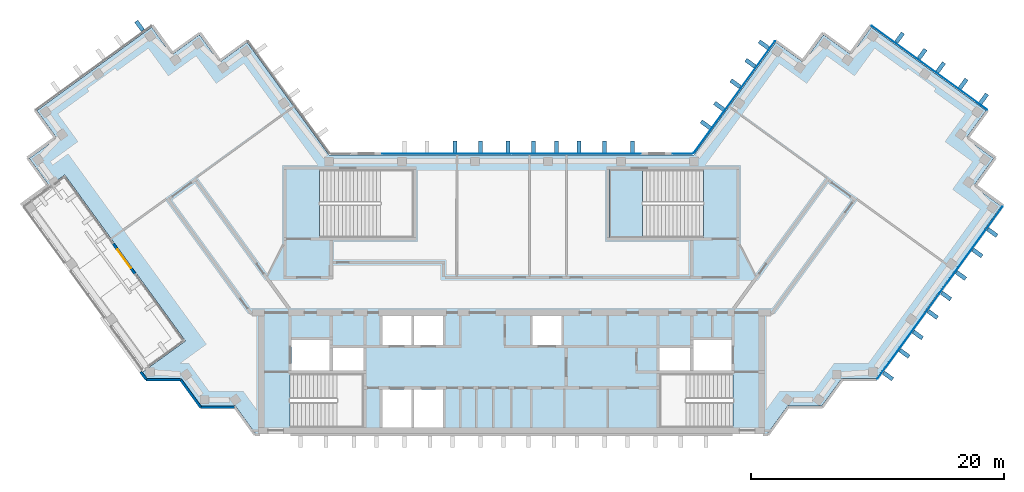
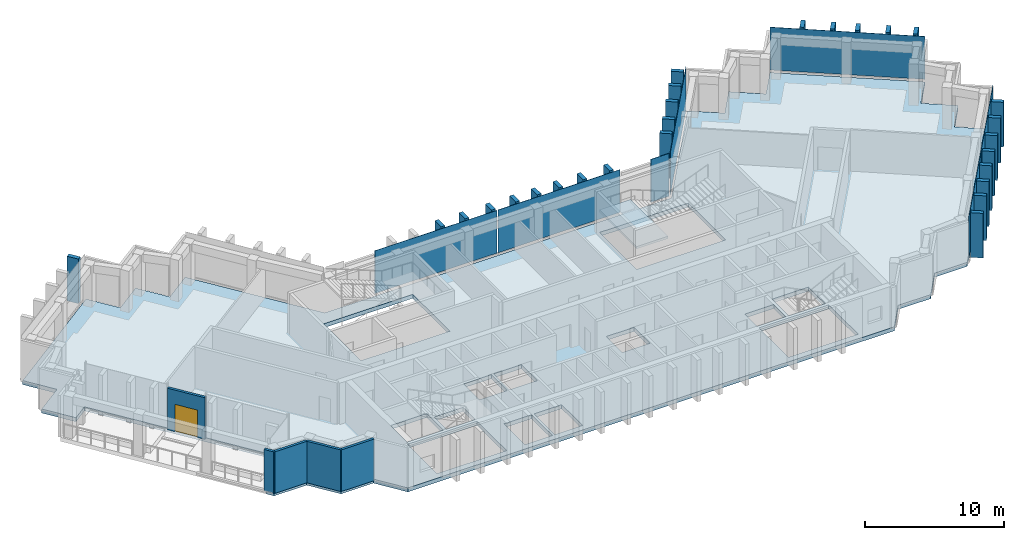
"""IFC4 building model written with IfcOpenShell, lengths in metres."""

from ifc_helpers import new_model, si_unit, direction, frame, frame_2d, origin, origin_2d, place, context, subcontext, project, spatial, polyline, rectangle, outline, extrude, material, layer, layer_set, type_object, element, fill, aggregate, save


model = new_model("IFC4")

# Units and contexts
model_context = context("Model", 3, precision=1e-05, world=origin(), true_north=direction((0.0, 1.0)))
body_context = subcontext(model_context, "Body", "Model", "MODEL_VIEW")
ifc_project = project(units=[si_unit("LENGTHUNIT", "METRE"), si_unit("AREAUNIT", "SQUARE_METRE"), si_unit("VOLUMEUNIT", "CUBIC_METRE"), si_unit("PLANEANGLEUNIT", "RADIAN"), si_unit("MASSUNIT", "GRAM", prefix="KILO")], contexts=[model_context])

# Site, building, storey
site_placement = place(None, origin())
site = spatial("IfcSite", under=ifc_project, at=site_placement, CompositionType="ELEMENT")
building_placement = place(site_placement, origin())
building = spatial("IfcBuilding", under=site, at=building_placement, Name="Quipu Civic Tower", CompositionType="ELEMENT")
storey_1_placement = place(building_placement, frame((0.0, 0.0, 261.0)))
storey_1 = spatial("IfcBuildingStorey", under=building, at=storey_1_placement, Name="L61", CompositionType="ELEMENT", Elevation=261.0)

# Slab
ifc_material_1 = material(Name="Concrete C40/50", Category="concrete")
ifc_layer_1 = layer(ifc_material_1, 0.35009765625)
ifc_layer_set_1 = layer_set([ifc_layer_1], Name="Concrete C40/50")
slab_type_1 = type_object("IfcSlabType", Name="Floor slab 350 C40/50", PredefinedType="FLOOR", material=ifc_layer_set_1)
slab_1_placement = place(storey_1_placement, frame((0.0, 0.0, -0.35009765625)))
element("IfcSlab", 1, at=slab_1_placement, inside=storey_1, type_object=slab_type_1, Name="Floor slab L61", PredefinedType="FLOOR", context=body_context, shape_type="SweptSolid", body=[
    extrude(outline(polyline([(-35.875, 12.320068359375), (-37.4599609375, 14.5048828125), (-28.39990234375, 21.090087890625), (-26.81494140625, 18.905029296875), (-24.6298828125, 20.4951171875), (-23.0400390625, 18.31005859375), (-20.860107421875, 19.89501953125), (-14.39501953125, 11.0), (14.39501953125, 11.0), (20.860107421875, 19.89501953125), (23.0400390625, 18.31005859375), (24.6298828125, 20.4951171875), (26.81494140625, 18.905029296875), (28.39990234375, 21.090087890625), (37.4599609375, 14.5048828125), (35.875, 12.320068359375), (38.06005859375, 10.735107421875), (36.469970703125, 8.550048828125), (38.655029296875, 6.965087890625), (28.780029296875, -6.6298828125), (26.080078125, -6.6298828125), (24.489990234375, -8.81494140625), (21.7900390625, -8.81494140625), (20.205078125, -11.0), (-20.205078125, -11.0), (-21.7900390625, -8.81494140625), (-24.489990234375, -8.81494140625), (-26.080078125, -6.6298828125), (-28.780029296875, -6.6298828125), (-29.135009765625, -6.139892578125), (-25.735107421875, -3.675048828125), (-35.260009765625, 9.43505859375), (-36.469970703125, 8.550048828125), (-38.06005859375, 10.735107421875), (-35.875, 12.320068359375)]), holes=[polyline([(-10.199951171875, -10.5), (-7.89990234375, -10.5), (-7.89990234375, -7.5), (-10.199951171875, -7.5), (-10.199951171875, -10.5)]), polyline([(-7.699951171875, -7.5), (-7.699951171875, -10.5), (-5.39990234375, -10.5), (-5.39990234375, -7.5), (-7.699951171875, -7.5)]), polyline([(-11.705078125, -6.2548828125), (-17.4951171875, -6.2548828125), (-17.4951171875, -10.4951171875), (-11.705078125, -10.4951171875), (-11.705078125, -6.2548828125)]), polyline([(-14.10009765625, -6.0), (-11.699951171875, -6.0), (-11.699951171875, -4.25), (-14.10009765625, -4.25), (-14.10009765625, -6.0)]), polyline([(-17.35009765625, -3.60009765625), (-17.35009765625, -6.0), (-14.35009765625, -6.0), (-14.35009765625, -3.60009765625), (-17.35009765625, -3.60009765625)]), polyline([(-10.199951171875, -1.699951171875), (-10.199951171875, -4.0), (-7.89990234375, -4.0), (-7.89990234375, -1.699951171875), (-10.199951171875, -1.699951171875)]), polyline([(-15.14501953125, 9.844970703125), (-15.14501953125, 4.5048828125), (-7.7548828125, 4.5048828125), (-7.7548828125, 9.844970703125), (-15.14501953125, 9.844970703125)]), polyline([(11.705078125, -10.4951171875), (17.4951171875, -10.4951171875), (17.4951171875, -6.2548828125), (11.705078125, -6.2548828125), (11.705078125, -10.4951171875)]), polyline([(11.699951171875, -4.25), (11.699951171875, -6.0), (14.10009765625, -6.0), (14.10009765625, -4.25), (11.699951171875, -4.25)]), polyline([(14.35009765625, -3.60009765625), (14.35009765625, -6.0), (17.35009765625, -6.0), (17.35009765625, -3.60009765625), (14.35009765625, -3.60009765625)]), polyline([(-7.699951171875, -1.699951171875), (-7.699951171875, -4.0), (-5.39990234375, -4.0), (-5.39990234375, -1.699951171875), (-7.699951171875, -1.699951171875)]), polyline([(1.64990234375, -1.699951171875), (1.64990234375, -4.0), (3.949951171875, -4.0), (3.949951171875, -1.699951171875), (1.64990234375, -1.699951171875)]), polyline([(7.7548828125, 4.5048828125), (15.14501953125, 4.5048828125), (15.14501953125, 9.844970703125), (7.7548828125, 9.844970703125), (7.7548828125, 4.5048828125)])]), origin(), (0.0, 0.0, 1.0), 0.35009765625),
])

# Storey
storey_2_placement = place(building_placement, frame((0.0, 0.0, 257.0)))
storey_2 = spatial("IfcBuildingStorey", under=building, at=storey_2_placement, Name="L60", CompositionType="ELEMENT", Elevation=257.0)

# Curtain wall, plates
ifc_material_2 = material(Name="Insulated glass unit", Category="glass")
curtain_wall_type = type_object("IfcCurtainWallType", Name="Office curtain wall CW1", PredefinedType="NOTDEFINED", material=ifc_material_2)
curtain_wall_1_placement = place(storey_2_placement, origin())
curtain_wall_1 = element("IfcCurtainWall", 2, at=curtain_wall_1_placement, inside=storey_2, type_object=curtain_wall_type, Name="Office curtain wall CW1 L59 run 13", PredefinedType="NOTDEFINED")
ifc_material_3 = material(Name="Insulated glass unit", Category="glass")
ifc_layer_2 = layer(ifc_material_3, 0.028076171875)
ifc_layer_set_2 = layer_set([ifc_layer_2], Name="Insulated glass unit")
plate_type_1 = type_object("IfcPlateType", Name="Glass panel CW1", PredefinedType="CURTAIN_PANEL", material=ifc_layer_set_2)
plate_1_placement = place(storey_1_placement, frame((31.333251953125, -3.285888671875, 0.16015625), z_axis=(0.0, 0.0, 1.0), x_axis=(0.587786237643, 0.809016278475, 0.0)))
plate_1 = element("IfcPlate", 3, at=plate_1_placement, inside=storey_1, type_object=plate_type_1, Name="CW1 panel 1.3", PredefinedType="CURTAIN_PANEL", context=body_context, shape_type="SweptSolid", body=[
    extrude(rectangle(XDim=8.35791015625, YDim=0.028076171875, at=origin_2d()), origin(), (0.0, 0.0, 1.0), 3.760009765625),
])
plate_2_placement = place(storey_1_placement, frame((36.292724609375, 3.54052734375, 0.16015625), z_axis=(0.0, 0.0, 1.0), x_axis=(0.587786237643, 0.809016278475, 0.0)))
plate_2 = element("IfcPlate", 4, at=plate_2_placement, inside=storey_1, type_object=plate_type_1, Name="CW1 panel 2.3", PredefinedType="CURTAIN_PANEL", context=body_context, shape_type="SweptSolid", body=[
    extrude(rectangle(XDim=8.35791015625, YDim=0.028076171875, at=origin_2d()), origin(), (0.0, 0.0, 1.0), 3.760009765625),
])
aggregate(curtain_wall_1, [plate_1, plate_2])

# Curtain wall, plate
curtain_wall_2_placement = place(storey_2_placement, origin())
curtain_wall_2 = element("IfcCurtainWall", 5, at=curtain_wall_2_placement, inside=storey_2, type_object=curtain_wall_type, Name="Office curtain wall CW1 L59 run 18", PredefinedType="NOTDEFINED")
plate_3_placement = place(storey_1_placement, frame((32.989990234375, 17.87939453125, 0.16015625), z_axis=(0.0, 0.0, 1.0), x_axis=(-0.809015176832, 0.587787753918, 0.0)))
plate_3 = element("IfcPlate", 6, at=plate_3_placement, inside=storey_1, type_object=plate_type_1, Name="CW1 panel 1.3", PredefinedType="CURTAIN_PANEL", context=body_context, shape_type="SweptSolid", body=[
    extrude(rectangle(XDim=11.239990234375, YDim=0.028076171875, at=origin_2d()), origin(), (0.0, 0.0, 1.0), 3.760009765625),
])
aggregate(curtain_wall_2, [plate_3])

curtain_wall_3_placement = place(storey_2_placement, origin())
curtain_wall_3 = element("IfcCurtainWall", 7, at=curtain_wall_3_placement, inside=storey_2, type_object=curtain_wall_type, Name="Office curtain wall CW1 L59 run 23", PredefinedType="NOTDEFINED")
plate_4_placement = place(storey_1_placement, frame((17.590087890625, 15.5673828125, 0.16015625), z_axis=(0.0, 0.0, 1.0), x_axis=(-0.587787771652, -0.809015163947, 0.0)))
plate_4 = element("IfcPlate", 8, at=plate_4_placement, inside=storey_1, type_object=plate_type_1, Name="CW1 panel 1.3", PredefinedType="CURTAIN_PANEL", context=body_context, shape_type="SweptSolid", body=[
    extrude(rectangle(XDim=10.88427734375, YDim=0.028076171875, at=origin_2d()), origin(), (0.0, 0.0, 1.0), 3.760009765625),
])
aggregate(curtain_wall_3, [plate_4])

curtain_wall_4_placement = place(storey_2_placement, origin())
curtain_wall_4 = element("IfcCurtainWall", 9, at=curtain_wall_4_placement, inside=storey_2, type_object=curtain_wall_type, Name="Office curtain wall CW1 L59 run 24", PredefinedType="NOTDEFINED")
plate_5_placement = place(storey_1_placement, frame((13.49951171875, 11.10009765625, 0.16015625), z_axis=(0.0, 0.0, 1.0), x_axis=(-1.0, 0.0, 0.0)))
plate_5 = element("IfcPlate", 10, at=plate_5_placement, inside=storey_1, type_object=plate_type_1, Name="CW1 panel 1.3", PredefinedType="CURTAIN_PANEL", context=body_context, shape_type="SweptSolid", body=[
    extrude(rectangle(XDim=1.529296875, YDim=0.028076171875, at=origin_2d()), origin(), (0.0, 0.0, 1.0), 3.760009765625),
])
aggregate(curtain_wall_4, [plate_5])

# Curtain wall, plates
curtain_wall_5_placement = place(storey_2_placement, origin())
curtain_wall_5 = element("IfcCurtainWall", 11, at=curtain_wall_5_placement, inside=storey_2, type_object=curtain_wall_type, Name="Office curtain wall CW1 L59 run 26", PredefinedType="NOTDEFINED")
plate_6_placement = place(storey_1_placement, frame((5.11181640625, 11.10009765625, 0.16015625), z_axis=(0.0, 0.0, 1.0), x_axis=(-1.0, 0.0, 0.0)))
plate_6 = element("IfcPlate", 12, at=plate_6_placement, inside=storey_1, type_object=plate_type_1, Name="CW1 panel 1.3", PredefinedType="CURTAIN_PANEL", context=body_context, shape_type="SweptSolid", body=[
    extrude(rectangle(XDim=10.1435546875, YDim=0.028076171875, at=origin_2d()), origin(), (0.0, 0.0, 1.0), 3.760009765625),
])
plate_7_placement = place(storey_1_placement, frame((-5.11181640625, 11.10009765625, 0.16015625), z_axis=(0.0, 0.0, 1.0), x_axis=(-1.0, 0.0, 0.0)))
plate_7 = element("IfcPlate", 13, at=plate_7_placement, inside=storey_1, type_object=plate_type_1, Name="CW1 panel 2.3", PredefinedType="CURTAIN_PANEL", context=body_context, shape_type="SweptSolid", body=[
    extrude(rectangle(XDim=10.1435546875, YDim=0.028076171875, at=origin_2d()), origin(), (0.0, 0.0, 1.0), 3.760009765625),
])
aggregate(curtain_wall_5, [plate_6, plate_7])

# Plates
ifc_material_4 = material(Name="Precast concrete C40/50", Category="concrete")
plate_type_2 = type_object("IfcPlateType", Name="Precast fin F3", PredefinedType="SHEET", material=ifc_material_4)
for number, where, z_axis, x_axis, name in (
    (14, (29.721923828125, -6.43896484375, 0.080078125), (0.0, 0.0, 1.0), (0.587786668783, 0.809015965233, 0.0), "Precast fin F3 L61.P10.1"),
    (15, (31.01513671875, -4.6591796875, 0.080078125), (0.0, 0.0, 1.0), (0.587786668783, 0.809015965233, 0.0), "Precast fin F3 L61.P10.2"),
    (16, (32.0732421875, -3.202880859375, 0.080078125), (0.0, 0.0, 1.0), (0.587786668783, 0.809015965233, 0.0), "Precast fin F3 L61.P10.3"),
    (17, (33.248779296875, -1.5849609375, 0.080078125), (0.0, 0.0, 1.0), (0.587786668783, 0.809015965233, 0.0), "Precast fin F3 L61.P10.4"),
    (18, (34.306640625, -0.128662109375, 0.080078125), (0.0, 0.0, 1.0), (0.587786668783, 0.809015965233, 0.0), "Precast fin F3 L61.P10.5"),
    (19, (35.482177734375, 1.489501953125, 0.080078125), (0.0, 0.0, 1.0), (0.587786668783, 0.809015965233, 0.0), "Precast fin F3 L61.P10.6"),
    (20, (36.775390625, 3.269287109375, 0.080078125), (0.0, 0.0, 1.0), (0.587786668783, 0.809015965233, 0.0), "Precast fin F3 L61.P10.7"),
    (21, (37.950927734375, 4.88720703125, 0.080078125), (0.0, 0.0, 1.0), (0.587786668783, 0.809015965233, 0.0), "Precast fin F3 L61.P10.8"),
    (22, (37.26953125, 15.449951171875, 0.080078125), (0.0, 0.0, 1.0), (-0.809017072762, 0.587785144401, 0.0), "Precast fin F3 L61.P15.1"),
    (23, (35.6513671875, 16.62548828125, 0.080078125), (0.0, 0.0, 1.0), (-0.809017072762, 0.587785144401, 0.0), "Precast fin F3 L61.P15.2"),
    (24, (33.87158203125, 17.918701171875, 0.080078125), (0.0, 0.0, 1.0), (-0.809017072762, 0.587785144401, 0.0), "Precast fin F3 L61.P15.3"),
    (25, (32.415283203125, 18.976806640625, 0.080078125), (0.0, 0.0, 1.0), (-0.809017072762, 0.587785144401, 0.0), "Precast fin F3 L61.P15.4"),
    (26, (30.635498046875, 20.269775390625, 0.080078125), (0.0, 0.0, 1.0), (-0.809017072762, 0.587785144401, 0.0), "Precast fin F3 L61.P15.5"),
    (27, (19.914794921875, 19.702880859375, 0.080078125), (0.0, 0.0, 1.0), (-0.58778443384, -0.809017589015, 0.0), "Precast fin F3 L61.P20.1"),
    (28, (18.856689453125, 18.246826171875, 0.080078125), (0.0, 0.0, 1.0), (-0.58778443384, -0.809017589015, 0.0), "Precast fin F3 L61.P20.2"),
    (29, (17.68115234375, 16.628662109375, 0.080078125), (0.0, 0.0, 1.0), (-0.58778443384, -0.809017589015, 0.0), "Precast fin F3 L61.P20.3"),
    (30, (16.38818359375, 14.848876953125, 0.080078125), (0.0, 0.0, 1.0), (-0.58778443384, -0.809017589015, 0.0), "Precast fin F3 L61.P20.4"),
    (31, (15.330078125, 13.392578125, 0.080078125), (0.0, 0.0, 1.0), (-0.58778443384, -0.809017589015, 0.0), "Precast fin F3 L61.P20.5"),
    (32, (9.5400390625, 11.64990234375, 0.080078125), (0.0, 0.0, 1.0), (-1.0, 0.0, 0.0), "Precast fin F3 L61.P23.1"),
    (33, (7.340087890625, 11.64990234375, 0.080078125), (0.0, 0.0, 1.0), (-1.0, 0.0, 0.0), "Precast fin F3 L61.P23.2"),
    (34, (5.340087890625, 11.64990234375, 0.080078125), (0.0, 0.0, 1.0), (-1.0, 0.0, 0.0), "Precast fin F3 L61.P23.3"),
    (35, (3.5400390625, 11.64990234375, 0.080078125), (0.0, 0.0, 1.0), (-1.0, 0.0, 0.0), "Precast fin F3 L61.P23.4"),
    (36, (1.739990234375, 11.64990234375, 0.080078125), (0.0, 0.0, 1.0), (-1.0, 0.0, 0.0), "Precast fin F3 L61.P23.5"),
    (37, (-0.260009765625, 11.64990234375, 0.080078125), (0.0, 0.0, 1.0), (-1.0, 0.0, 0.0), "Precast fin F3 L61.P23.6"),
    (38, (-2.4599609375, 11.64990234375, 0.080078125), (0.0, 0.0, 1.0), (-1.0, 0.0, 0.0), "Precast fin F3 L61.P23.7"),
    (39, (-4.4599609375, 11.64990234375, 0.080078125), (0.0, 0.0, 1.0), (-1.0, 0.0, 0.0), "Precast fin F3 L61.P23.8"),
    (40, (-29.357177734375, 21.198486328125, 0.080078125), (0.0, 0.0, 1.0), (-0.809017072762, -0.587785144401, 0.0), "Precast fin F3 L61.P31.1"),
):
    element("IfcPlate", number, at=place(storey_1_placement, frame(where, z_axis=z_axis, x_axis=x_axis)), inside=storey_1, type_object=plate_type_2, Name=name, PredefinedType="SHEET", context=body_context, shape_type="SweptSolid", body=[
        extrude(rectangle(XDim=0.320068359375, YDim=0.89990234375, at=origin_2d()), origin(), (0.0, 0.0, 1.0), 3.919921875),
    ])

# Stair, slab
ifc_material_5 = material(Name="Concrete C40/50", Category="concrete")
stair_type = type_object("IfcStairType", Name="Half turn stair 2600", PredefinedType="HALF_TURN_STAIR", material=ifc_material_5)
stair_placement = place(storey_1_placement, origin())
stair = element("IfcStair", 41, at=stair_placement, inside=storey_1, type_object=stair_type, Name="Exit stair 4", PredefinedType="HALF_TURN_STAIR")
ifc_material_6 = material(Name="Concrete C40/50", Category="concrete")
ifc_layer_3 = layer(ifc_material_6, 0.199951171875)
ifc_layer_set_3 = layer_set([ifc_layer_3], Name="Concrete C40/50")
slab_type_2 = type_object("IfcSlabType", Name="Stair landing 200", PredefinedType="LANDING", material=ifc_layer_set_3)
slab_2_placement = place(storey_1_placement, frame((0.0, 0.0, 1.800048828125)))
slab_2 = element("IfcSlab", 42, at=slab_2_placement, type_object=slab_type_2, Name="ST-4 landing 1", PredefinedType="LANDING", context=body_context, shape_type="SweptSolid", body=[
    extrude(outline(polyline([(10.35009765625, 9.85009765625), (7.75, 9.85009765625), (7.75, 4.5), (10.35009765625, 4.5), (10.35009765625, 9.85009765625)])), origin(), (0.0, 0.0, 1.0), 0.199951171875),
])
aggregate(stair, [slab_2])

# Walls
ifc_material_7 = material(Name="Precast concrete C40/50", Category="concrete")
wall_type_1 = type_object("IfcWallType", Name="Precast cladding wall", PredefinedType="SOLIDWALL", material=ifc_material_7)
wall_1_placement = place(storey_1_placement, frame((-28.829833984375, -6.71923828125, 0.0), z_axis=(0.0, 0.0, 1.0), x_axis=(1.0, 0.0, 0.0)))
element("IfcWall", 43, at=wall_1_placement, inside=storey_1, type_object=wall_type_1, Name="Precast cladding wall L61 P33", PredefinedType="SOLIDWALL", context=body_context, shape_type="SweptSolid", body=[
    extrude(rectangle(XDim=2.699951171875, YDim=0.199951171875, at=frame_2d((1.35009765625, 0.0))), origin(), (0.0, 0.0, 1.0), 3.64990234375),
])
wall_2_placement = place(storey_1_placement, frame((-26.1201171875, -6.72412109375, 0.0), z_axis=(0.0, 0.0, 1.0), x_axis=(0.587720002413, -0.809064397168, 0.0)))
element("IfcWall", 44, at=wall_2_placement, inside=storey_1, type_object=wall_type_1, Name="Precast cladding wall L61 P34", PredefinedType="SOLIDWALL", context=body_context, shape_type="SweptSolid", body=[
    extrude(rectangle(XDim=2.7001953125, YDim=0.199951171875, at=frame_2d((1.35009765625, 0.0))), origin(), (0.0, 0.0, 1.0), 3.64990234375),
])
wall_3_placement = place(storey_1_placement, frame((-24.542724609375, -8.90380859375, 0.0), z_axis=(0.0, 0.0, 1.0), x_axis=(1.0, 0.0, 0.0)))
element("IfcWall", 45, at=wall_3_placement, inside=storey_1, type_object=wall_type_1, Name="Precast cladding wall L61 P35", PredefinedType="SOLIDWALL", context=body_context, shape_type="SweptSolid", body=[
    extrude(rectangle(XDim=2.699951171875, YDim=0.199951171875, at=frame_2d((1.35009765625, 0.0))), origin(), (0.0, 0.0, 1.0), 3.64990234375),
])
wall_4_placement = place(storey_1_placement, frame((-29.264404296875, -6.11279296875, 0.0), z_axis=(0.0, 0.0, 1.0), x_axis=(0.587941177097, -0.808903685412, 0.0)))
element("IfcWall", 46, at=wall_4_placement, inside=storey_1, type_object=wall_type_1, Name="Precast cladding wall L61 8", PredefinedType="SOLIDWALL", context=body_context, shape_type="SweptSolid", body=[
    extrude(rectangle(XDim=0.755859375, YDim=0.199951171875, at=frame_2d((0.3779296875, 0.0))), origin(), (0.0, 0.0, 1.0), 3.64990234375),
])

# Wall, opening, door
ifc_material_8 = material(Name="Precast concrete C40/50", Category="concrete")
wall_type_2 = type_object("IfcWallType", Name="Precast door surround", PredefinedType="SOLIDWALL", material=ifc_material_8)
wall_5_placement = place(storey_1_placement, frame((-29.70751953125, 1.622314453125, 0.0), z_axis=(0.0, 0.0, 1.0), x_axis=(-0.58782869016, 0.808985433135, 0.0)))
wall_5 = element("IfcWall", 47, at=wall_5_placement, inside=storey_1, type_object=wall_type_2, Name="Door surround ED-L61-1", PredefinedType="SOLIDWALL", context=body_context, shape_type="SweptSolid", body=[
    extrude(rectangle(XDim=2.962890625, YDim=0.199951171875, at=frame_2d((1.4814453125, 0.0))), origin(), (0.0, 0.0, 1.0), 3.64990234375),
])
opening_placement = place(wall_5_placement, frame((0.58154296875, 0.0, 0.0)))
opening = element("IfcOpeningElement", 48, at=opening_placement, cuts=wall_5, Name="Opening ED-L61-1", PredefinedType="OPENING", context=body_context, shape_type="SweptSolid", body=[
    extrude(rectangle(XDim=1.800048828125, YDim=2.39990234375, at=frame_2d((0.89990234375, 1.199951171875))), frame((0.0, 0.10986328125, 0.0), z_axis=(0.0, -1.0, 0.0), x_axis=(1.0, 0.0, 0.0)), (0.0, 0.0, 1.0), 0.219970703125),
])
ifc_material_9 = material(Name="Aluminium framed glazed door", Category="aluminium")
door_type = type_object("IfcDoorType", Name="Terrace door E3", OperationType="DOUBLE_DOOR_SINGLE_SWING", PredefinedType="DOOR", material=ifc_material_9)
door_placement = place(opening_placement, origin())
door = element("IfcDoor", 49, at=door_placement, inside=storey_1, type_object=door_type, Name="E3 door ED-L61-1", OperationType="DOUBLE_DOOR_SINGLE_SWING", OverallHeight=2.39990234375, OverallWidth=1.800048828125, PredefinedType="DOOR", context=body_context, shape_type="SweptSolid", body=[
    extrude(rectangle(XDim=1.800048828125, YDim=2.39990234375, at=frame_2d((0.89990234375, 1.199951171875))), frame((0.0, 0.02490234375, 0.0), z_axis=(0.0, -1.0, 0.0), x_axis=(1.0, 0.0, 0.0)), (0.0, 0.0, 1.0), 0.050048828125),
])
fill(opening, door)

save(model, "model.ifc")
